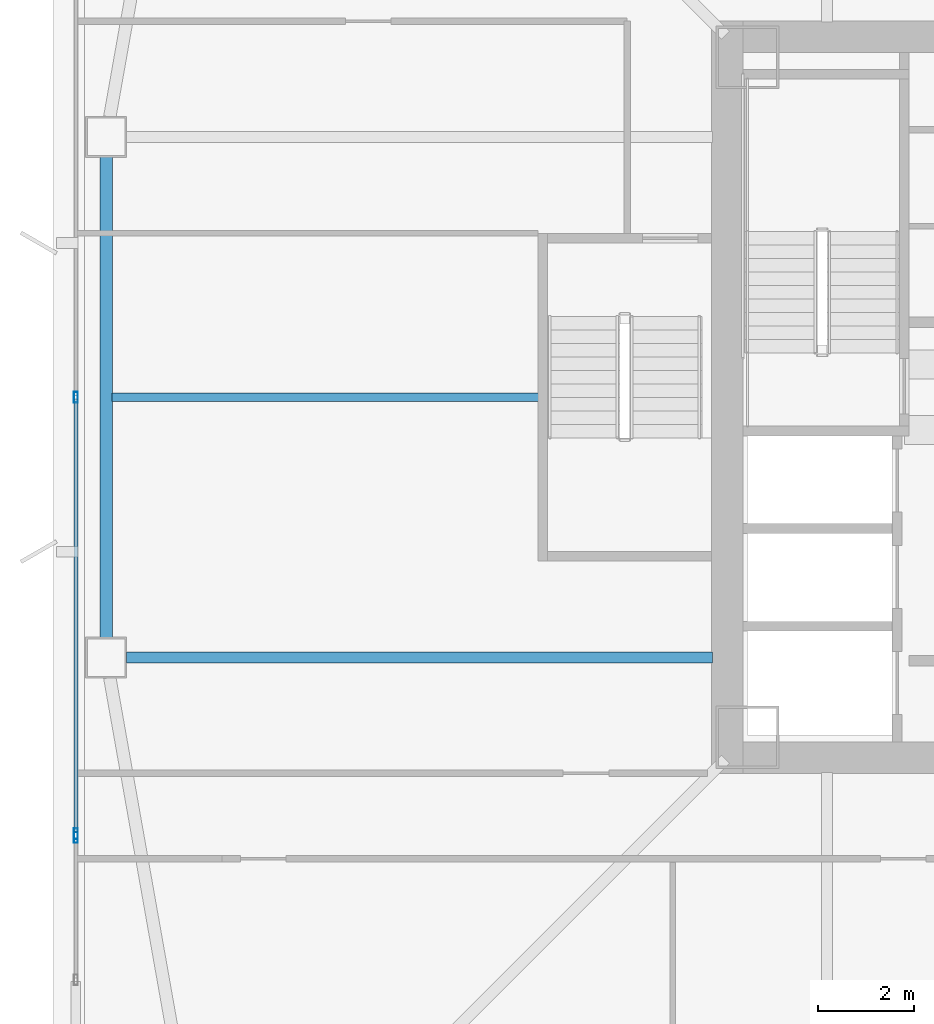
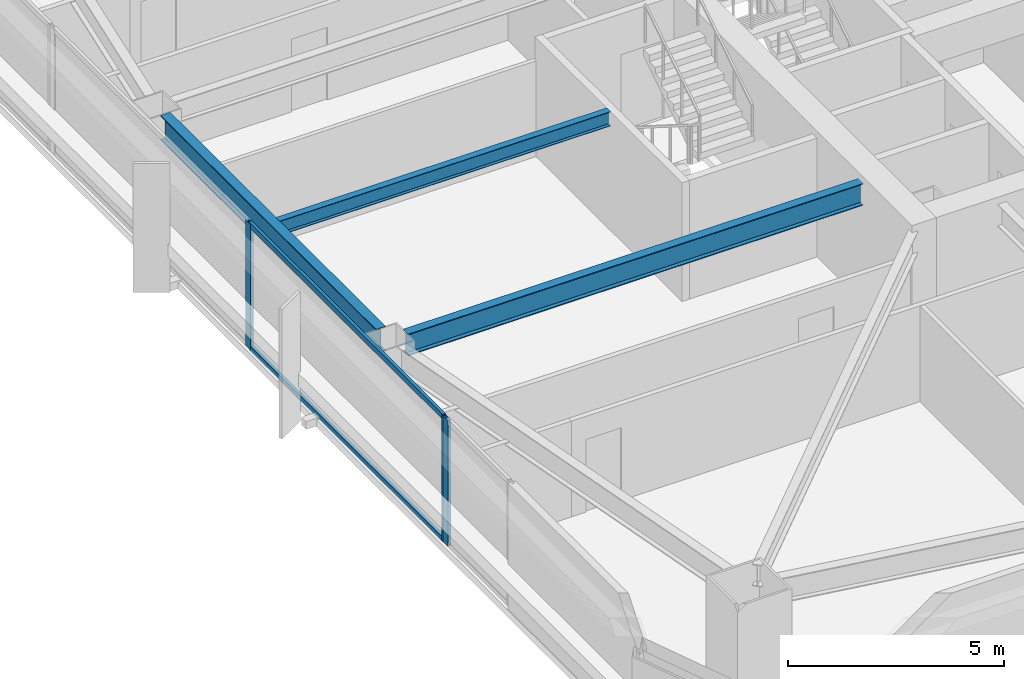
# One storey, part 7 of 49: 5 members, 3 beams, 2 elements without a shape of their own.
"""IFC4 building model written with IfcOpenShell, lengths in metres."""

from ifc_helpers import new_model, si_unit, direction, frame, origin, origin_2d, place, context, subcontext, project, spatial, hollow_rectangle, i_section, extrude, material, material_profile, profile_set, type_object, element, aggregate, save


model = new_model("IFC4")

# Units and contexts
model_context = context("Model", 3, precision=1e-05, world=origin(), true_north=direction((0.0, 1.0)))
body_context = subcontext(model_context, "Body", "Model", "MODEL_VIEW")
ifc_project = project(units=[si_unit("LENGTHUNIT", "METRE"), si_unit("AREAUNIT", "SQUARE_METRE"), si_unit("VOLUMEUNIT", "CUBIC_METRE"), si_unit("PLANEANGLEUNIT", "RADIAN"), si_unit("MASSUNIT", "GRAM", prefix="KILO")], contexts=[model_context])

# Site, building, storey
site_placement = place(None, origin())
site = spatial("IfcSite", under=ifc_project, at=site_placement, CompositionType="ELEMENT")
building_placement = place(site_placement, origin())
building = spatial("IfcBuilding", under=site, at=building_placement, Name="Tashvorn Skyway Center", CompositionType="ELEMENT")
storey_placement = place(building_placement, frame((0.0, 0.0, 70.75)))
storey = spatial("IfcBuildingStorey", under=building, at=storey_placement, Name="L18", CompositionType="ELEMENT", Elevation=70.75)

# Beams
ifc_material_1 = material(Name="Steel ASTM A992 Grade 50", Category="steel")
ifc_material_profile_1 = material_profile(ifc_material_1, i_section(OverallWidth=0.22998046875, OverallDepth=0.616943359375, WebThickness=0.01318359375, FlangeThickness=0.022216796875, at=origin_2d()), Name="W24X94")
ifc_profile_set_1 = profile_set([ifc_material_profile_1], Name="Steel ASTM A992 Grade 50")
beam_type_1 = type_object("IfcBeamType", Name="BM-BEAM-W24X94", PredefinedType="BEAM", material=ifc_profile_set_1)
beam_1_placement = place(storey_placement, frame((22.070068359375, 26.60009765625, 3.04150390625), z_axis=(1.0, 0.0, 0.0), x_axis=(0.0, 1.0, 0.0)))
element("IfcBeam", 1, at=beam_1_placement, inside=storey, type_object=beam_type_1, Name="Tower 1 L18 Primary Floor Girder FC-W2", PredefinedType="BEAM", context=body_context, shape_type="SweptSolid", body=[
    extrude(i_section(OverallWidth=0.22998046875, OverallDepth=0.616943359375, WebThickness=0.01318359375, FlangeThickness=0.022216796875, at=origin_2d()), origin(), (0.0, 0.0, 1.0), 12.14990234375),
])
ifc_material_profile_2 = material_profile(ifc_material_1, i_section(OverallWidth=0.177978515625, OverallDepth=0.406005859375, WebThickness=0.0078125, FlangeThickness=0.0126953125, at=origin_2d()), Name="W16X40")
ifc_profile_set_2 = profile_set([ifc_material_profile_2], Name="Steel ASTM A992 Grade 50")
beam_type_2 = type_object("IfcBeamType", Name="BM-JOIST-W16X40", PredefinedType="JOIST", material=ifc_profile_set_2)
beam_2_placement = place(storey_placement, frame((30.610107421875, 32.0, 3.14697265625), z_axis=(-1.0, 0.0, 0.0), x_axis=(0.0, -1.0, 0.0)))
element("IfcBeam", 2, at=beam_2_placement, inside=storey, type_object=beam_type_2, Name="Tower 1 L18 Secondary Composite Joist JW", PredefinedType="JOIST", context=body_context, shape_type="SweptSolid", body=[
    extrude(i_section(OverallWidth=0.177978515625, OverallDepth=0.406005859375, WebThickness=0.0078125, FlangeThickness=0.0126953125, at=origin_2d()), origin(), (0.0, 0.0, 1.0), 8.840087890625),
])
ifc_material_profile_3 = material_profile(ifc_material_1, i_section(OverallWidth=0.256103515625, OverallDepth=0.693115234375, WebThickness=0.014404296875, FlangeThickness=0.023681640625, at=origin_2d()), Name="W27X114")
ifc_profile_set_3 = profile_set([ifc_material_profile_3], Name="Steel ASTM A992 Grade 50")
beam_type_3 = type_object("IfcBeamType", Name="BM-SPANDREL-W27X114", PredefinedType="SPANDREL", material=ifc_profile_set_3)
beam_3_placement = place(storey_placement, frame((21.64990234375, 36.97998046875, 3.00341796875), z_axis=(0.0, -1.0, 0.0), x_axis=(1.0, 0.0, 0.0)))
element("IfcBeam", 3, at=beam_3_placement, inside=storey, type_object=beam_type_3, Name="Tower 1 L18 Spandrel Beam 11", PredefinedType="SPANDREL", context=body_context, shape_type="SweptSolid", body=[
    extrude(i_section(OverallWidth=0.256103515625, OverallDepth=0.693115234375, WebThickness=0.014404296875, FlangeThickness=0.023681640625, at=origin_2d()), origin(), (0.0, 0.0, 1.0), 9.9599609375),
])

# Curtain wall, member
ifc_material_2 = material(Name="Thermally broken bronze-anodized aluminium 6063-T6", Category="aluminium")
curtain_wall_type = type_object("IfcCurtainWallType", Name="CW-CW-Z2", PredefinedType="NOTDEFINED", material=ifc_material_2)
curtain_wall_1_placement = place(storey_placement, origin())
curtain_wall_1 = element("IfcCurtainWall", 4, at=curtain_wall_1_placement, inside=storey, type_object=curtain_wall_type, Name="Tower 1 L18 West Unitised Curtain Wall Glazing Group 1", PredefinedType="NOTDEFINED")
ifc_material_profile_4 = material_profile(ifc_material_2, hollow_rectangle(XDim=0.080078125, YDim=0.219970703125, WallThickness=0.0048828125, at=origin_2d()), Name="ALU-MULL-80x220")
ifc_profile_set_4 = profile_set([ifc_material_profile_4], Name="Thermally broken bronze-anodized aluminium 6063-T6")
member_type_1 = type_object("IfcMemberType", Name="CWM-CW-Z2", PredefinedType="MULLION", material=ifc_profile_set_4)
member_1_placement = place(storey_placement, frame((21.02001953125, 22.8701171875, 0.0), z_axis=(0.0, 0.0, 1.0), x_axis=(-1.0, 0.0, 0.0)))
member_1 = element("IfcMember", 5, at=member_1_placement, type_object=member_type_1, Name="CW-Z2 mullion 2", PredefinedType="MULLION", context=body_context, shape_type="SweptSolid", body=[
    extrude(hollow_rectangle(XDim=0.080078125, YDim=0.219970703125, WallThickness=0.0048828125, at=origin_2d()), origin(), (0.0, 0.0, 1.0), 3.550048828125),
])
aggregate(curtain_wall_1, [member_1])

# Curtain wall, members
curtain_wall_2_placement = place(storey_placement, origin())
curtain_wall_2 = element("IfcCurtainWall", 6, at=curtain_wall_2_placement, inside=storey, type_object=curtain_wall_type, Name="Tower 1 L18 West Unitised Curtain Wall Glazing Group 2", PredefinedType="NOTDEFINED")
member_2_placement = place(storey_placement, frame((21.02001953125, 22.949951171875, 0.0), z_axis=(0.0, 0.0, 1.0), x_axis=(-1.0, 0.0, 0.0)))
member_2 = element("IfcMember", 7, at=member_2_placement, type_object=member_type_1, Name="CW-Z2 mullion 1", PredefinedType="MULLION", context=body_context, shape_type="SweptSolid", body=[
    extrude(hollow_rectangle(XDim=0.080078125, YDim=0.219970703125, WallThickness=0.0048828125, at=origin_2d()), origin(), (0.0, 0.0, 1.0), 3.550048828125),
])
member_3_placement = place(storey_placement, frame((21.02001953125, 32.0, 0.0), z_axis=(0.0, 0.0, 1.0), x_axis=(-1.0, 0.0, 0.0)))
member_3 = element("IfcMember", 8, at=member_3_placement, type_object=member_type_1, Name="CW-Z2 mullion 2", PredefinedType="MULLION", context=body_context, shape_type="SweptSolid", body=[
    extrude(hollow_rectangle(XDim=0.080078125, YDim=0.219970703125, WallThickness=0.0048828125, at=origin_2d()), origin(), (0.0, 0.0, 1.0), 3.550048828125),
])
ifc_material_profile_5 = material_profile(ifc_material_2, hollow_rectangle(XDim=0.080078125, YDim=0.14990234375, WallThickness=0.00439453125, at=origin_2d()), Name="ALU-TRAN-80x150")
ifc_profile_set_5 = profile_set([ifc_material_profile_5], Name="Thermally broken bronze-anodized aluminium 6063-T6")
member_type_2 = type_object("IfcMemberType", Name="CWT-CW-Z2", PredefinedType="USERDEFINED", material=ifc_profile_set_5)
member_4_placement = place(storey_placement, frame((21.02001953125, 22.989990234375, 0.0400390625), z_axis=(0.0, 1.0, 0.0), x_axis=(-1.0, 0.0, 0.0)))
member_4 = element("IfcMember", 9, at=member_4_placement, type_object=member_type_2, Name="CW-Z2 transom 1.1", ObjectType="TRANSOM", PredefinedType="USERDEFINED", context=body_context, shape_type="SweptSolid", body=[
    extrude(hollow_rectangle(XDim=0.080078125, YDim=0.14990234375, WallThickness=0.00439453125, at=origin_2d()), origin(), (0.0, 0.0, 1.0), 8.969970703125),
])
member_5_placement = place(storey_placement, frame((21.02001953125, 22.989990234375, 3.510009765625), z_axis=(0.0, 1.0, 0.0), x_axis=(-1.0, 0.0, 0.0)))
member_5 = element("IfcMember", 10, at=member_5_placement, type_object=member_type_2, Name="CW-Z2 transom 1.2", ObjectType="TRANSOM", PredefinedType="USERDEFINED", context=body_context, shape_type="SweptSolid", body=[
    extrude(hollow_rectangle(XDim=0.080078125, YDim=0.14990234375, WallThickness=0.00439453125, at=origin_2d()), origin(), (0.0, 0.0, 1.0), 8.969970703125),
])
aggregate(curtain_wall_2, [member_2, member_3, member_4, member_5])

save(model, "model.ifc")
